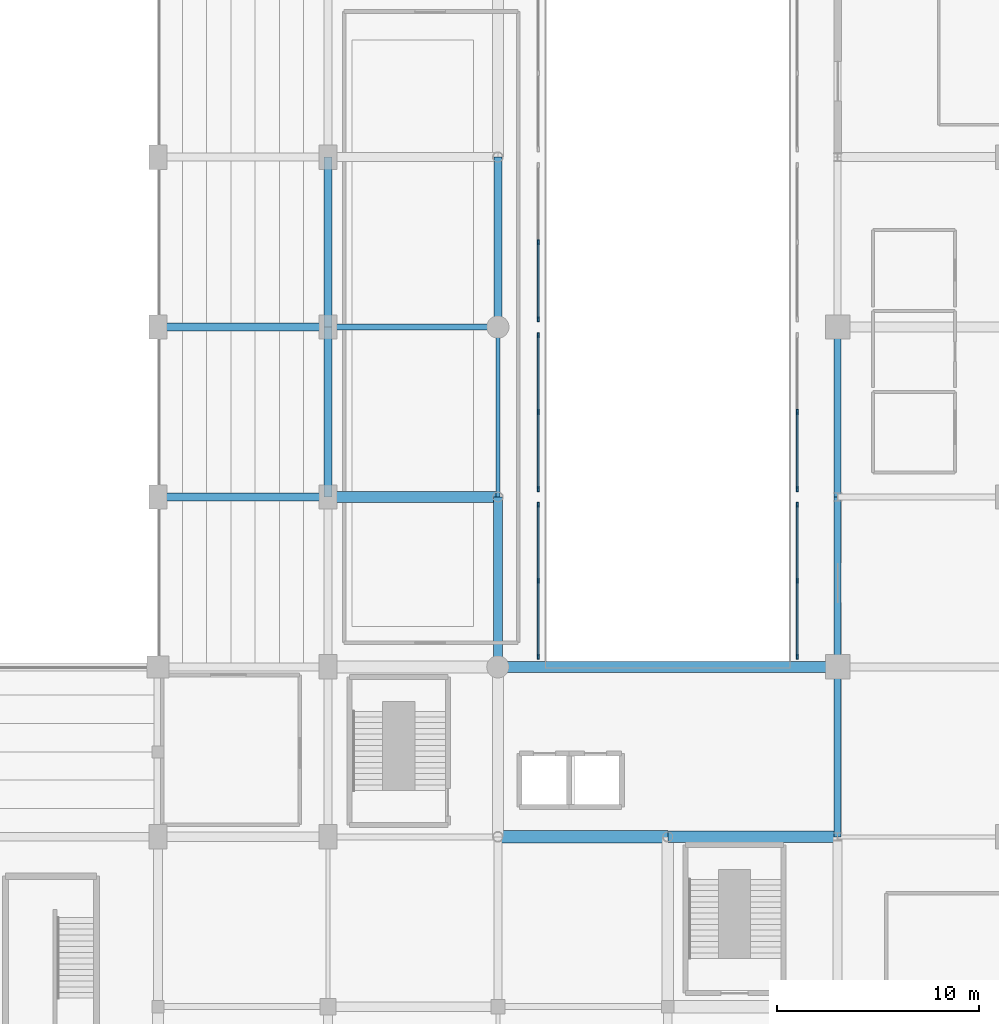
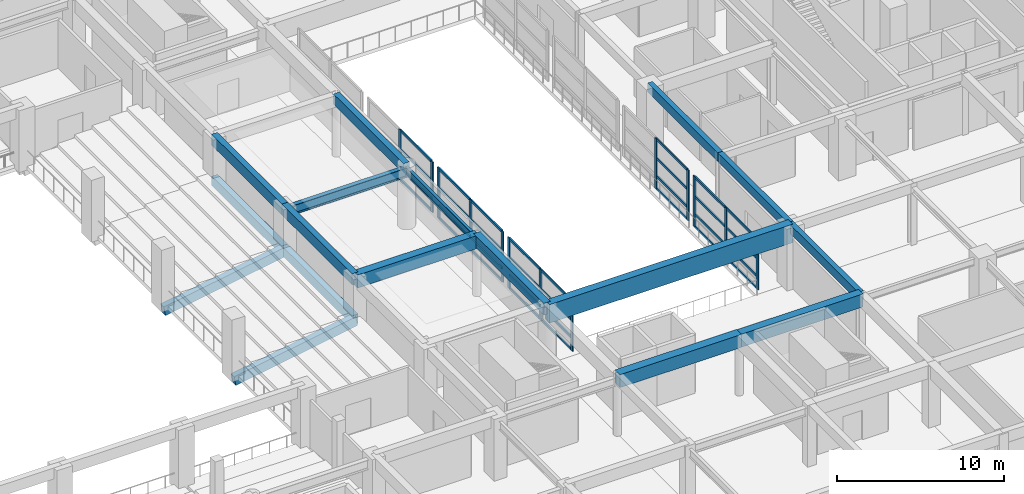
# One storey, part 17 of 60: 45 members, 17 beams, 5 elements without a shape of their own.
"""IFC4 building model written with IfcOpenShell, lengths in metres."""

from ifc_helpers import new_model, si_unit, direction, frame, origin, origin_2d, place, context, subcontext, project, spatial, rectangle, i_section, extrude, material, material_profile, profile_set, type_object, element, aggregate, save


model = new_model("IFC4")

# Units and contexts
model_context = context("Model", 3, precision=1e-05, world=origin(), true_north=direction((0.0, 1.0)))
body_context = subcontext(model_context, "Body", "Model", "MODEL_VIEW")
ifc_project = project(units=[si_unit("LENGTHUNIT", "METRE"), si_unit("AREAUNIT", "SQUARE_METRE"), si_unit("VOLUMEUNIT", "CUBIC_METRE"), si_unit("PLANEANGLEUNIT", "RADIAN"), si_unit("MASSUNIT", "GRAM", prefix="KILO")], contexts=[model_context])

# Site, building, storey
site_placement = place(None, origin())
site = spatial("IfcSite", under=ifc_project, at=site_placement, CompositionType="ELEMENT")
building_placement = place(site_placement, origin())
building = spatial("IfcBuilding", under=site, at=building_placement, Name="Xuanlan Plaza Opera House", CompositionType="ELEMENT")
storey_placement = place(building_placement, frame((0.0, 0.0, 9.89990234375)))
storey = spatial("IfcBuildingStorey", under=building, at=storey_placement, Name="L02", CompositionType="ELEMENT", Elevation=9.89990234375)

# Curtain wall, members
ifc_material_1 = material(Name="Anodised Aluminium 6063-T6 and Low-E Glass", Category="aluminium")
curtain_wall_type = type_object("IfcCurtainWallType", Name="ENV-CW-CW-06", PredefinedType="USERDEFINED", material=ifc_material_1)
curtain_wall_1_placement = place(storey_placement, origin())
curtain_wall_1 = element("IfcCurtainWall", 1, at=curtain_wall_1_placement, inside=storey, type_object=curtain_wall_type, Name="Acoustic Glazed Wall ATR-L02-11", ObjectType="ACOUSTIC GLAZED WALL", PredefinedType="USERDEFINED")
ifc_material_2 = material(Name="Anodised Aluminium 6063-T6", Category="aluminium")
ifc_material_profile_1 = material_profile(ifc_material_2, rectangle(XDim=0.090087890625, YDim=0.25, at=origin_2d()), Name="ALU-M 90x250")
ifc_profile_set_1 = profile_set([ifc_material_profile_1], Name="Anodised Aluminium 6063-T6")
member_type_1 = type_object("IfcMemberType", Name="ENV-CWM-05", PredefinedType="MULLION", material=ifc_profile_set_1)
member_1_placement = place(storey_placement, frame((111.199951171875, 42.4951171875, 0.0), z_axis=(0.0, 0.0, 1.0), x_axis=(-1.0, 0.0, 0.0)))
member_1 = element("IfcMember", 2, at=member_1_placement, type_object=member_type_1, Name="CW-06 mullion 1", PredefinedType="MULLION", context=body_context, shape_type="SweptSolid", body=[
    extrude(rectangle(XDim=0.090087890625, YDim=0.25, at=origin_2d()), origin(), (0.0, 0.0, 1.0), 3.68017578125),
])
member_2_placement = place(storey_placement, frame((111.199951171875, 46.25, 0.0), z_axis=(0.0, 0.0, 1.0), x_axis=(-1.0, 0.0, 0.0)))
member_2 = element("IfcMember", 3, at=member_2_placement, type_object=member_type_1, Name="CW-06 mullion 2", PredefinedType="MULLION", context=body_context, shape_type="SweptSolid", body=[
    extrude(rectangle(XDim=0.090087890625, YDim=0.25, at=origin_2d()), origin(), (0.0, 0.0, 1.0), 3.68017578125),
])
member_3_placement = place(storey_placement, frame((111.199951171875, 50.0048828125, 0.0), z_axis=(0.0, 0.0, 1.0), x_axis=(-1.0, 0.0, 0.0)))
member_3 = element("IfcMember", 4, at=member_3_placement, type_object=member_type_1, Name="CW-06 mullion 3", PredefinedType="MULLION", context=body_context, shape_type="SweptSolid", body=[
    extrude(rectangle(XDim=0.090087890625, YDim=0.25, at=origin_2d()), origin(), (0.0, 0.0, 1.0), 3.68017578125),
])

curtain_wall_2_placement = place(storey_placement, origin())
curtain_wall_2 = element("IfcCurtainWall", 5, at=curtain_wall_2_placement, inside=storey, type_object=curtain_wall_type, Name="Acoustic Glazed Wall ATR-L02-12", ObjectType="ACOUSTIC GLAZED WALL", PredefinedType="USERDEFINED")
member_4_placement = place(storey_placement, frame((111.199951171875, 50.794921875, 0.0), z_axis=(0.0, 0.0, 1.0), x_axis=(-1.0, 0.0, 0.0)))
member_4 = element("IfcMember", 6, at=member_4_placement, type_object=member_type_1, Name="CW-06 mullion 1", PredefinedType="MULLION", context=body_context, shape_type="SweptSolid", body=[
    extrude(rectangle(XDim=0.090087890625, YDim=0.25, at=origin_2d()), origin(), (0.0, 0.0, 1.0), 3.68017578125),
])
member_5_placement = place(storey_placement, frame((111.199951171875, 54.60009765625, 0.0), z_axis=(0.0, 0.0, 1.0), x_axis=(-1.0, 0.0, 0.0)))
member_5 = element("IfcMember", 7, at=member_5_placement, type_object=member_type_1, Name="CW-06 mullion 2", PredefinedType="MULLION", context=body_context, shape_type="SweptSolid", body=[
    extrude(rectangle(XDim=0.090087890625, YDim=0.25, at=origin_2d()), origin(), (0.0, 0.0, 1.0), 3.68017578125),
])
member_6_placement = place(storey_placement, frame((111.199951171875, 58.405029296875, 0.0), z_axis=(0.0, 0.0, 1.0), x_axis=(-1.0, 0.0, 0.0)))
member_6 = element("IfcMember", 8, at=member_6_placement, type_object=member_type_1, Name="CW-06 mullion 3", PredefinedType="MULLION", context=body_context, shape_type="SweptSolid", body=[
    extrude(rectangle(XDim=0.090087890625, YDim=0.25, at=origin_2d()), origin(), (0.0, 0.0, 1.0), 3.68017578125),
])

curtain_wall_3_placement = place(storey_placement, origin())
curtain_wall_3 = element("IfcCurtainWall", 9, at=curtain_wall_3_placement, inside=storey, type_object=curtain_wall_type, Name="Acoustic Glazed Wall ATR-L02-13", ObjectType="ACOUSTIC GLAZED WALL", PredefinedType="USERDEFINED")
member_7_placement = place(storey_placement, frame((111.199951171875, 59.195068359375, 0.0), z_axis=(0.0, 0.0, 1.0), x_axis=(-1.0, 0.0, 0.0)))
member_7 = element("IfcMember", 10, at=member_7_placement, type_object=member_type_1, Name="CW-06 mullion 1", PredefinedType="MULLION", context=body_context, shape_type="SweptSolid", body=[
    extrude(rectangle(XDim=0.090087890625, YDim=0.25, at=origin_2d()), origin(), (0.0, 0.0, 1.0), 3.68017578125),
])
member_8_placement = place(storey_placement, frame((111.199951171875, 63.0, 0.0), z_axis=(0.0, 0.0, 1.0), x_axis=(-1.0, 0.0, 0.0)))
member_8 = element("IfcMember", 11, at=member_8_placement, type_object=member_type_1, Name="CW-06 mullion 2", PredefinedType="MULLION", context=body_context, shape_type="SweptSolid", body=[
    extrude(rectangle(XDim=0.090087890625, YDim=0.25, at=origin_2d()), origin(), (0.0, 0.0, 1.0), 3.68017578125),
])

curtain_wall_4_placement = place(storey_placement, origin())
curtain_wall_4 = element("IfcCurtainWall", 12, at=curtain_wall_4_placement, inside=storey, type_object=curtain_wall_type, Name="Acoustic Glazed Wall ATR-L02-21", ObjectType="ACOUSTIC GLAZED WALL", PredefinedType="USERDEFINED")
member_9_placement = place(storey_placement, frame((124.0, 42.4951171875, 0.0), z_axis=(0.0, 0.0, 1.0), x_axis=(-1.0, 0.0, 0.0)))
member_9 = element("IfcMember", 13, at=member_9_placement, type_object=member_type_1, Name="CW-06 mullion 1", PredefinedType="MULLION", context=body_context, shape_type="SweptSolid", body=[
    extrude(rectangle(XDim=0.090087890625, YDim=0.25, at=origin_2d()), origin(), (0.0, 0.0, 1.0), 3.68017578125),
])
member_10_placement = place(storey_placement, frame((124.0, 46.25, 0.0), z_axis=(0.0, 0.0, 1.0), x_axis=(-1.0, 0.0, 0.0)))
member_10 = element("IfcMember", 14, at=member_10_placement, type_object=member_type_1, Name="CW-06 mullion 2", PredefinedType="MULLION", context=body_context, shape_type="SweptSolid", body=[
    extrude(rectangle(XDim=0.090087890625, YDim=0.25, at=origin_2d()), origin(), (0.0, 0.0, 1.0), 3.68017578125),
])
member_11_placement = place(storey_placement, frame((124.0, 50.0048828125, 0.0), z_axis=(0.0, 0.0, 1.0), x_axis=(-1.0, 0.0, 0.0)))
member_11 = element("IfcMember", 15, at=member_11_placement, type_object=member_type_1, Name="CW-06 mullion 3", PredefinedType="MULLION", context=body_context, shape_type="SweptSolid", body=[
    extrude(rectangle(XDim=0.090087890625, YDim=0.25, at=origin_2d()), origin(), (0.0, 0.0, 1.0), 3.68017578125),
])

curtain_wall_5_placement = place(storey_placement, origin())
curtain_wall_5 = element("IfcCurtainWall", 16, at=curtain_wall_5_placement, inside=storey, type_object=curtain_wall_type, Name="Acoustic Glazed Wall ATR-L02-22", ObjectType="ACOUSTIC GLAZED WALL", PredefinedType="USERDEFINED")
member_12_placement = place(storey_placement, frame((124.0, 50.794921875, 0.0), z_axis=(0.0, 0.0, 1.0), x_axis=(-1.0, 0.0, 0.0)))
member_12 = element("IfcMember", 17, at=member_12_placement, type_object=member_type_1, Name="CW-06 mullion 1", PredefinedType="MULLION", context=body_context, shape_type="SweptSolid", body=[
    extrude(rectangle(XDim=0.090087890625, YDim=0.25, at=origin_2d()), origin(), (0.0, 0.0, 1.0), 3.68017578125),
])
member_13_placement = place(storey_placement, frame((124.0, 54.60009765625, 0.0), z_axis=(0.0, 0.0, 1.0), x_axis=(-1.0, 0.0, 0.0)))
member_13 = element("IfcMember", 18, at=member_13_placement, type_object=member_type_1, Name="CW-06 mullion 2", PredefinedType="MULLION", context=body_context, shape_type="SweptSolid", body=[
    extrude(rectangle(XDim=0.090087890625, YDim=0.25, at=origin_2d()), origin(), (0.0, 0.0, 1.0), 3.68017578125),
])

# Member
ifc_material_profile_2 = material_profile(ifc_material_2, rectangle(XDim=0.090087890625, YDim=0.179931640625, at=origin_2d()), Name="ALU-T 90x180")
ifc_profile_set_2 = profile_set([ifc_material_profile_2], Name="Anodised Aluminium 6063-T6")
member_type_2 = type_object("IfcMemberType", Name="ENV-CWT-05", PredefinedType="USERDEFINED", material=ifc_profile_set_2)
member_14_placement = place(storey_placement, frame((111.199951171875, 42.5400390625, 0.045166015625), z_axis=(0.0, 1.0, 0.0), x_axis=(-1.0, 0.0, 0.0)))
member_14 = element("IfcMember", 19, at=member_14_placement, type_object=member_type_2, Name="CW-06 transom 1.1", ObjectType="TRANSOM", PredefinedType="USERDEFINED", context=body_context, shape_type="SweptSolid", body=[
    extrude(rectangle(XDim=0.090087890625, YDim=0.179931640625, at=origin_2d()), origin(), (0.0, 0.0, 1.0), 3.6650390625),
])

member_15_placement = place(storey_placement, frame((111.199951171875, 42.5400390625, 0.9501953125), z_axis=(0.0, 1.0, 0.0), x_axis=(-1.0, 0.0, 0.0)))
member_15 = element("IfcMember", 20, at=member_15_placement, type_object=member_type_2, Name="CW-06 transom 1.2", ObjectType="TRANSOM", PredefinedType="USERDEFINED", context=body_context, shape_type="SweptSolid", body=[
    extrude(rectangle(XDim=0.090087890625, YDim=0.179931640625, at=origin_2d()), origin(), (0.0, 0.0, 1.0), 3.6650390625),
])

member_16_placement = place(storey_placement, frame((111.199951171875, 42.5400390625, 2.25), z_axis=(0.0, 1.0, 0.0), x_axis=(-1.0, 0.0, 0.0)))
member_16 = element("IfcMember", 21, at=member_16_placement, type_object=member_type_2, Name="CW-06 transom 1.3", ObjectType="TRANSOM", PredefinedType="USERDEFINED", context=body_context, shape_type="SweptSolid", body=[
    extrude(rectangle(XDim=0.090087890625, YDim=0.179931640625, at=origin_2d()), origin(), (0.0, 0.0, 1.0), 3.6650390625),
])

member_17_placement = place(storey_placement, frame((111.199951171875, 42.5400390625, 3.635009765625), z_axis=(0.0, 1.0, 0.0), x_axis=(-1.0, 0.0, 0.0)))
member_17 = element("IfcMember", 22, at=member_17_placement, type_object=member_type_2, Name="CW-06 transom 1.4", ObjectType="TRANSOM", PredefinedType="USERDEFINED", context=body_context, shape_type="SweptSolid", body=[
    extrude(rectangle(XDim=0.090087890625, YDim=0.179931640625, at=origin_2d()), origin(), (0.0, 0.0, 1.0), 3.6650390625),
])

member_18_placement = place(storey_placement, frame((111.199951171875, 46.294921875, 0.045166015625), z_axis=(0.0, 1.0, 0.0), x_axis=(-1.0, 0.0, 0.0)))
member_18 = element("IfcMember", 23, at=member_18_placement, type_object=member_type_2, Name="CW-06 transom 2.1", ObjectType="TRANSOM", PredefinedType="USERDEFINED", context=body_context, shape_type="SweptSolid", body=[
    extrude(rectangle(XDim=0.090087890625, YDim=0.179931640625, at=origin_2d()), origin(), (0.0, 0.0, 1.0), 3.6650390625),
])

member_19_placement = place(storey_placement, frame((111.199951171875, 46.294921875, 0.9501953125), z_axis=(0.0, 1.0, 0.0), x_axis=(-1.0, 0.0, 0.0)))
member_19 = element("IfcMember", 24, at=member_19_placement, type_object=member_type_2, Name="CW-06 transom 2.2", ObjectType="TRANSOM", PredefinedType="USERDEFINED", context=body_context, shape_type="SweptSolid", body=[
    extrude(rectangle(XDim=0.090087890625, YDim=0.179931640625, at=origin_2d()), origin(), (0.0, 0.0, 1.0), 3.6650390625),
])

member_20_placement = place(storey_placement, frame((111.199951171875, 46.294921875, 2.25), z_axis=(0.0, 1.0, 0.0), x_axis=(-1.0, 0.0, 0.0)))
member_20 = element("IfcMember", 25, at=member_20_placement, type_object=member_type_2, Name="CW-06 transom 2.3", ObjectType="TRANSOM", PredefinedType="USERDEFINED", context=body_context, shape_type="SweptSolid", body=[
    extrude(rectangle(XDim=0.090087890625, YDim=0.179931640625, at=origin_2d()), origin(), (0.0, 0.0, 1.0), 3.6650390625),
])

member_21_placement = place(storey_placement, frame((111.199951171875, 46.294921875, 3.635009765625), z_axis=(0.0, 1.0, 0.0), x_axis=(-1.0, 0.0, 0.0)))
member_21 = element("IfcMember", 26, at=member_21_placement, type_object=member_type_2, Name="CW-06 transom 2.4", ObjectType="TRANSOM", PredefinedType="USERDEFINED", context=body_context, shape_type="SweptSolid", body=[
    extrude(rectangle(XDim=0.090087890625, YDim=0.179931640625, at=origin_2d()), origin(), (0.0, 0.0, 1.0), 3.6650390625),
])

aggregate(curtain_wall_1, [member_1, member_2, member_3, member_14, member_15, member_16, member_17, member_18, member_19, member_20, member_21])

member_22_placement = place(storey_placement, frame((111.199951171875, 50.840087890625, 0.045166015625), z_axis=(0.0, 1.0, 0.0), x_axis=(-1.0, 0.0, 0.0)))
member_22 = element("IfcMember", 27, at=member_22_placement, type_object=member_type_2, Name="CW-06 transom 1.1", ObjectType="TRANSOM", PredefinedType="USERDEFINED", context=body_context, shape_type="SweptSolid", body=[
    extrude(rectangle(XDim=0.090087890625, YDim=0.179931640625, at=origin_2d()), origin(), (0.0, 0.0, 1.0), 3.71484375),
])

member_23_placement = place(storey_placement, frame((111.199951171875, 50.840087890625, 0.9501953125), z_axis=(0.0, 1.0, 0.0), x_axis=(-1.0, 0.0, 0.0)))
member_23 = element("IfcMember", 28, at=member_23_placement, type_object=member_type_2, Name="CW-06 transom 1.2", ObjectType="TRANSOM", PredefinedType="USERDEFINED", context=body_context, shape_type="SweptSolid", body=[
    extrude(rectangle(XDim=0.090087890625, YDim=0.179931640625, at=origin_2d()), origin(), (0.0, 0.0, 1.0), 3.71484375),
])

member_24_placement = place(storey_placement, frame((111.199951171875, 50.840087890625, 2.25), z_axis=(0.0, 1.0, 0.0), x_axis=(-1.0, 0.0, 0.0)))
member_24 = element("IfcMember", 29, at=member_24_placement, type_object=member_type_2, Name="CW-06 transom 1.3", ObjectType="TRANSOM", PredefinedType="USERDEFINED", context=body_context, shape_type="SweptSolid", body=[
    extrude(rectangle(XDim=0.090087890625, YDim=0.179931640625, at=origin_2d()), origin(), (0.0, 0.0, 1.0), 3.71484375),
])

member_25_placement = place(storey_placement, frame((111.199951171875, 50.840087890625, 3.635009765625), z_axis=(0.0, 1.0, 0.0), x_axis=(-1.0, 0.0, 0.0)))
member_25 = element("IfcMember", 30, at=member_25_placement, type_object=member_type_2, Name="CW-06 transom 1.4", ObjectType="TRANSOM", PredefinedType="USERDEFINED", context=body_context, shape_type="SweptSolid", body=[
    extrude(rectangle(XDim=0.090087890625, YDim=0.179931640625, at=origin_2d()), origin(), (0.0, 0.0, 1.0), 3.71484375),
])

member_26_placement = place(storey_placement, frame((111.199951171875, 54.64501953125, 0.045166015625), z_axis=(0.0, 1.0, 0.0), x_axis=(-1.0, 0.0, 0.0)))
member_26 = element("IfcMember", 31, at=member_26_placement, type_object=member_type_2, Name="CW-06 transom 2.1", ObjectType="TRANSOM", PredefinedType="USERDEFINED", context=body_context, shape_type="SweptSolid", body=[
    extrude(rectangle(XDim=0.090087890625, YDim=0.179931640625, at=origin_2d()), origin(), (0.0, 0.0, 1.0), 3.715087890625),
])

member_27_placement = place(storey_placement, frame((111.199951171875, 54.64501953125, 0.9501953125), z_axis=(0.0, 1.0, 0.0), x_axis=(-1.0, 0.0, 0.0)))
member_27 = element("IfcMember", 32, at=member_27_placement, type_object=member_type_2, Name="CW-06 transom 2.2", ObjectType="TRANSOM", PredefinedType="USERDEFINED", context=body_context, shape_type="SweptSolid", body=[
    extrude(rectangle(XDim=0.090087890625, YDim=0.179931640625, at=origin_2d()), origin(), (0.0, 0.0, 1.0), 3.715087890625),
])

member_28_placement = place(storey_placement, frame((111.199951171875, 54.64501953125, 2.25), z_axis=(0.0, 1.0, 0.0), x_axis=(-1.0, 0.0, 0.0)))
member_28 = element("IfcMember", 33, at=member_28_placement, type_object=member_type_2, Name="CW-06 transom 2.3", ObjectType="TRANSOM", PredefinedType="USERDEFINED", context=body_context, shape_type="SweptSolid", body=[
    extrude(rectangle(XDim=0.090087890625, YDim=0.179931640625, at=origin_2d()), origin(), (0.0, 0.0, 1.0), 3.715087890625),
])

member_29_placement = place(storey_placement, frame((111.199951171875, 54.64501953125, 3.635009765625), z_axis=(0.0, 1.0, 0.0), x_axis=(-1.0, 0.0, 0.0)))
member_29 = element("IfcMember", 34, at=member_29_placement, type_object=member_type_2, Name="CW-06 transom 2.4", ObjectType="TRANSOM", PredefinedType="USERDEFINED", context=body_context, shape_type="SweptSolid", body=[
    extrude(rectangle(XDim=0.090087890625, YDim=0.179931640625, at=origin_2d()), origin(), (0.0, 0.0, 1.0), 3.715087890625),
])

aggregate(curtain_wall_2, [member_4, member_5, member_6, member_22, member_23, member_24, member_25, member_26, member_27, member_28, member_29])

member_30_placement = place(storey_placement, frame((111.199951171875, 59.239990234375, 0.045166015625), z_axis=(0.0, 1.0, 0.0), x_axis=(-1.0, 0.0, 0.0)))
member_30 = element("IfcMember", 35, at=member_30_placement, type_object=member_type_2, Name="CW-06 transom 1.1", ObjectType="TRANSOM", PredefinedType="USERDEFINED", context=body_context, shape_type="SweptSolid", body=[
    extrude(rectangle(XDim=0.090087890625, YDim=0.179931640625, at=origin_2d()), origin(), (0.0, 0.0, 1.0), 3.715087890625),
])

member_31_placement = place(storey_placement, frame((111.199951171875, 59.239990234375, 0.9501953125), z_axis=(0.0, 1.0, 0.0), x_axis=(-1.0, 0.0, 0.0)))
member_31 = element("IfcMember", 36, at=member_31_placement, type_object=member_type_2, Name="CW-06 transom 1.2", ObjectType="TRANSOM", PredefinedType="USERDEFINED", context=body_context, shape_type="SweptSolid", body=[
    extrude(rectangle(XDim=0.090087890625, YDim=0.179931640625, at=origin_2d()), origin(), (0.0, 0.0, 1.0), 3.715087890625),
])

member_32_placement = place(storey_placement, frame((111.199951171875, 59.239990234375, 2.25), z_axis=(0.0, 1.0, 0.0), x_axis=(-1.0, 0.0, 0.0)))
member_32 = element("IfcMember", 37, at=member_32_placement, type_object=member_type_2, Name="CW-06 transom 1.3", ObjectType="TRANSOM", PredefinedType="USERDEFINED", context=body_context, shape_type="SweptSolid", body=[
    extrude(rectangle(XDim=0.090087890625, YDim=0.179931640625, at=origin_2d()), origin(), (0.0, 0.0, 1.0), 3.715087890625),
])

member_33_placement = place(storey_placement, frame((111.199951171875, 59.239990234375, 3.635009765625), z_axis=(0.0, 1.0, 0.0), x_axis=(-1.0, 0.0, 0.0)))
member_33 = element("IfcMember", 38, at=member_33_placement, type_object=member_type_2, Name="CW-06 transom 1.4", ObjectType="TRANSOM", PredefinedType="USERDEFINED", context=body_context, shape_type="SweptSolid", body=[
    extrude(rectangle(XDim=0.090087890625, YDim=0.179931640625, at=origin_2d()), origin(), (0.0, 0.0, 1.0), 3.715087890625),
])

aggregate(curtain_wall_3, [member_7, member_8, member_30, member_31, member_32, member_33])

member_34_placement = place(storey_placement, frame((124.0, 42.5400390625, 0.045166015625), z_axis=(0.0, 1.0, 0.0), x_axis=(-1.0, 0.0, 0.0)))
member_34 = element("IfcMember", 39, at=member_34_placement, type_object=member_type_2, Name="CW-06 transom 1.1", ObjectType="TRANSOM", PredefinedType="USERDEFINED", context=body_context, shape_type="SweptSolid", body=[
    extrude(rectangle(XDim=0.090087890625, YDim=0.179931640625, at=origin_2d()), origin(), (0.0, 0.0, 1.0), 3.6650390625),
])

member_35_placement = place(storey_placement, frame((124.0, 42.5400390625, 0.9501953125), z_axis=(0.0, 1.0, 0.0), x_axis=(-1.0, 0.0, 0.0)))
member_35 = element("IfcMember", 40, at=member_35_placement, type_object=member_type_2, Name="CW-06 transom 1.2", ObjectType="TRANSOM", PredefinedType="USERDEFINED", context=body_context, shape_type="SweptSolid", body=[
    extrude(rectangle(XDim=0.090087890625, YDim=0.179931640625, at=origin_2d()), origin(), (0.0, 0.0, 1.0), 3.6650390625),
])

member_36_placement = place(storey_placement, frame((124.0, 42.5400390625, 2.25), z_axis=(0.0, 1.0, 0.0), x_axis=(-1.0, 0.0, 0.0)))
member_36 = element("IfcMember", 41, at=member_36_placement, type_object=member_type_2, Name="CW-06 transom 1.3", ObjectType="TRANSOM", PredefinedType="USERDEFINED", context=body_context, shape_type="SweptSolid", body=[
    extrude(rectangle(XDim=0.090087890625, YDim=0.179931640625, at=origin_2d()), origin(), (0.0, 0.0, 1.0), 3.6650390625),
])

member_37_placement = place(storey_placement, frame((124.0, 42.5400390625, 3.635009765625), z_axis=(0.0, 1.0, 0.0), x_axis=(-1.0, 0.0, 0.0)))
member_37 = element("IfcMember", 42, at=member_37_placement, type_object=member_type_2, Name="CW-06 transom 1.4", ObjectType="TRANSOM", PredefinedType="USERDEFINED", context=body_context, shape_type="SweptSolid", body=[
    extrude(rectangle(XDim=0.090087890625, YDim=0.179931640625, at=origin_2d()), origin(), (0.0, 0.0, 1.0), 3.6650390625),
])

member_38_placement = place(storey_placement, frame((124.0, 46.294921875, 0.045166015625), z_axis=(0.0, 1.0, 0.0), x_axis=(-1.0, 0.0, 0.0)))
member_38 = element("IfcMember", 43, at=member_38_placement, type_object=member_type_2, Name="CW-06 transom 2.1", ObjectType="TRANSOM", PredefinedType="USERDEFINED", context=body_context, shape_type="SweptSolid", body=[
    extrude(rectangle(XDim=0.090087890625, YDim=0.179931640625, at=origin_2d()), origin(), (0.0, 0.0, 1.0), 3.6650390625),
])

member_39_placement = place(storey_placement, frame((124.0, 46.294921875, 0.9501953125), z_axis=(0.0, 1.0, 0.0), x_axis=(-1.0, 0.0, 0.0)))
member_39 = element("IfcMember", 44, at=member_39_placement, type_object=member_type_2, Name="CW-06 transom 2.2", ObjectType="TRANSOM", PredefinedType="USERDEFINED", context=body_context, shape_type="SweptSolid", body=[
    extrude(rectangle(XDim=0.090087890625, YDim=0.179931640625, at=origin_2d()), origin(), (0.0, 0.0, 1.0), 3.6650390625),
])

member_40_placement = place(storey_placement, frame((124.0, 46.294921875, 2.25), z_axis=(0.0, 1.0, 0.0), x_axis=(-1.0, 0.0, 0.0)))
member_40 = element("IfcMember", 45, at=member_40_placement, type_object=member_type_2, Name="CW-06 transom 2.3", ObjectType="TRANSOM", PredefinedType="USERDEFINED", context=body_context, shape_type="SweptSolid", body=[
    extrude(rectangle(XDim=0.090087890625, YDim=0.179931640625, at=origin_2d()), origin(), (0.0, 0.0, 1.0), 3.6650390625),
])

member_41_placement = place(storey_placement, frame((124.0, 46.294921875, 3.635009765625), z_axis=(0.0, 1.0, 0.0), x_axis=(-1.0, 0.0, 0.0)))
member_41 = element("IfcMember", 46, at=member_41_placement, type_object=member_type_2, Name="CW-06 transom 2.4", ObjectType="TRANSOM", PredefinedType="USERDEFINED", context=body_context, shape_type="SweptSolid", body=[
    extrude(rectangle(XDim=0.090087890625, YDim=0.179931640625, at=origin_2d()), origin(), (0.0, 0.0, 1.0), 3.6650390625),
])

aggregate(curtain_wall_4, [member_9, member_10, member_11, member_34, member_35, member_36, member_37, member_38, member_39, member_40, member_41])

member_42_placement = place(storey_placement, frame((124.0, 50.840087890625, 0.045166015625), z_axis=(0.0, 1.0, 0.0), x_axis=(-1.0, 0.0, 0.0)))
member_42 = element("IfcMember", 47, at=member_42_placement, type_object=member_type_2, Name="CW-06 transom 1.1", ObjectType="TRANSOM", PredefinedType="USERDEFINED", context=body_context, shape_type="SweptSolid", body=[
    extrude(rectangle(XDim=0.090087890625, YDim=0.179931640625, at=origin_2d()), origin(), (0.0, 0.0, 1.0), 3.71484375),
])

member_43_placement = place(storey_placement, frame((124.0, 50.840087890625, 0.9501953125), z_axis=(0.0, 1.0, 0.0), x_axis=(-1.0, 0.0, 0.0)))
member_43 = element("IfcMember", 48, at=member_43_placement, type_object=member_type_2, Name="CW-06 transom 1.2", ObjectType="TRANSOM", PredefinedType="USERDEFINED", context=body_context, shape_type="SweptSolid", body=[
    extrude(rectangle(XDim=0.090087890625, YDim=0.179931640625, at=origin_2d()), origin(), (0.0, 0.0, 1.0), 3.71484375),
])

member_44_placement = place(storey_placement, frame((124.0, 50.840087890625, 2.25), z_axis=(0.0, 1.0, 0.0), x_axis=(-1.0, 0.0, 0.0)))
member_44 = element("IfcMember", 49, at=member_44_placement, type_object=member_type_2, Name="CW-06 transom 1.3", ObjectType="TRANSOM", PredefinedType="USERDEFINED", context=body_context, shape_type="SweptSolid", body=[
    extrude(rectangle(XDim=0.090087890625, YDim=0.179931640625, at=origin_2d()), origin(), (0.0, 0.0, 1.0), 3.71484375),
])

member_45_placement = place(storey_placement, frame((124.0, 50.840087890625, 3.635009765625), z_axis=(0.0, 1.0, 0.0), x_axis=(-1.0, 0.0, 0.0)))
member_45 = element("IfcMember", 50, at=member_45_placement, type_object=member_type_2, Name="CW-06 transom 1.4", ObjectType="TRANSOM", PredefinedType="USERDEFINED", context=body_context, shape_type="SweptSolid", body=[
    extrude(rectangle(XDim=0.090087890625, YDim=0.179931640625, at=origin_2d()), origin(), (0.0, 0.0, 1.0), 3.71484375),
])

aggregate(curtain_wall_5, [member_12, member_13, member_42, member_43, member_44, member_45])

# Beams
ifc_material_3 = material(Name="Concrete C50", Category="concrete")
ifc_material_profile_3 = material_profile(ifc_material_3, rectangle(XDim=0.60009765625, YDim=0.949951171875, at=origin_2d()), Name="RC-BM 600x950")
ifc_profile_set_3 = profile_set([ifc_material_profile_3], Name="Concrete C50")
beam_type_1 = type_object("IfcBeamType", Name="STR-BM-B-01", PredefinedType="BEAM", material=ifc_profile_set_3)
beam_1_placement = place(storey_placement, frame((109.199951171875, 33.60009765625, 4.025146484375), z_axis=(1.0, 0.0, 0.0), x_axis=(0.0, 1.0, 0.0)))
element("IfcBeam", 51, at=beam_1_placement, inside=storey, type_object=beam_type_1, Name="Grid Beam X L02 14-15/E", PredefinedType="BEAM", context=body_context, shape_type="SweptSolid", body=[
    extrude(rectangle(XDim=0.60009765625, YDim=0.949951171875, at=origin_2d()), origin(), (0.0, 0.0, 1.0), 8.400146484375),
])
ifc_material_profile_4 = material_profile(ifc_material_3, rectangle(XDim=0.550048828125, YDim=0.949951171875, at=origin_2d()), Name="RC-BM 550x950")
ifc_profile_set_4 = profile_set([ifc_material_profile_4], Name="Concrete C50")
beam_type_2 = type_object("IfcBeamType", Name="STR-BM-B-02", PredefinedType="BEAM", material=ifc_profile_set_4)
for number, where, z_axis, x_axis, name in (
    (52, (117.60009765625, 33.60009765625, 4.025146484375), (1.0, 0.0, 0.0), (0.0, 1.0, 0.0), "Grid Beam X L02 15-16/E"),
    (53, (100.800048828125, 50.39990234375, 4.025146484375), (1.0, 0.0, 0.0), (0.0, 1.0, 0.0), "Grid Beam X L02 13-14/G"),
):
    element("IfcBeam", number, at=place(storey_placement, frame(where, z_axis=z_axis, x_axis=x_axis)), inside=storey, type_object=beam_type_2, Name=name, PredefinedType="BEAM", context=body_context, shape_type="SweptSolid", body=[
        extrude(rectangle(XDim=0.550048828125, YDim=0.949951171875, at=origin_2d()), origin(), (0.0, 0.0, 1.0), 8.39990234375),
    ])
ifc_material_4 = material(Name="Concrete C40", Category="concrete")
ifc_material_profile_5 = material_profile(ifc_material_4, rectangle(XDim=0.449951171875, YDim=0.85009765625, at=origin_2d()), Name="RC-BM 450x850")
ifc_profile_set_5 = profile_set([ifc_material_profile_5], Name="Concrete C40")
beam_type_3 = type_object("IfcBeamType", Name="STR-BM-B-04", PredefinedType="BEAM", material=ifc_profile_set_5)
beam_2_placement = place(storey_placement, frame((109.199951171875, 42.0, 4.0751953125), z_axis=(0.0, 1.0, 0.0), x_axis=(-1.0, 0.0, 0.0)))
element("IfcBeam", 54, at=beam_2_placement, inside=storey, type_object=beam_type_3, Name="Grid Beam Y L02 14/F-G", PredefinedType="BEAM", context=body_context, shape_type="SweptSolid", body=[
    extrude(rectangle(XDim=0.449951171875, YDim=0.85009765625, at=origin_2d()), origin(), (0.0, 0.0, 1.0), 8.39990234375),
])
ifc_material_profile_6 = material_profile(ifc_material_4, rectangle(XDim=0.39990234375, YDim=0.75, at=origin_2d()), Name="RC-BM 400x750")
ifc_profile_set_6 = profile_set([ifc_material_profile_6], Name="Concrete C40")
beam_type_4 = type_object("IfcBeamType", Name="STR-BM-B-06", PredefinedType="BEAM", material=ifc_profile_set_6)
beam_3_placement = place(storey_placement, frame((109.199951171875, 58.800048828125, 4.125), z_axis=(0.0, 1.0, 0.0), x_axis=(-1.0, 0.0, 0.0)))
element("IfcBeam", 55, at=beam_3_placement, inside=storey, type_object=beam_type_4, Name="Grid Beam Y L02 14/H-I", PredefinedType="BEAM", context=body_context, shape_type="SweptSolid", body=[
    extrude(rectangle(XDim=0.39990234375, YDim=0.75, at=origin_2d()), origin(), (0.0, 0.0, 1.0), 8.39990234375),
])
ifc_material_profile_7 = material_profile(ifc_material_4, rectangle(XDim=0.35009765625, YDim=0.64990234375, at=origin_2d()), Name="RC-BM 350x650")
ifc_profile_set_7 = profile_set([ifc_material_profile_7], Name="Concrete C40")
beam_type_5 = type_object("IfcBeamType", Name="STR-BM-B-08", PredefinedType="BEAM", material=ifc_profile_set_7)
for number, where, z_axis, x_axis, name in (
    (56, (126.0, 33.60009765625, 4.175048828125), (0.0, 1.0, 0.0), (-1.0, 0.0, 0.0), "Grid Beam Y L02 16/E-F"),
    (57, (126.0, 42.0, 4.175048828125), (0.0, 1.0, 0.0), (-1.0, 0.0, 0.0), "Grid Beam Y L02 16/F-G"),
):
    element("IfcBeam", number, at=place(storey_placement, frame(where, z_axis=z_axis, x_axis=x_axis)), inside=storey, type_object=beam_type_5, Name=name, PredefinedType="BEAM", context=body_context, shape_type="SweptSolid", body=[
        extrude(rectangle(XDim=0.35009765625, YDim=0.64990234375, at=origin_2d()), origin(), (0.0, 0.0, 1.0), 8.39990234375),
    ])
beam_4_placement = place(storey_placement, frame((126.0, 50.39990234375, 4.175048828125), z_axis=(0.0, 1.0, 0.0), x_axis=(-1.0, 0.0, 0.0)))
element("IfcBeam", 58, at=beam_4_placement, inside=storey, type_object=beam_type_5, Name="Grid Beam Y L02 16/G-H", PredefinedType="BEAM", context=body_context, shape_type="SweptSolid", body=[
    extrude(rectangle(XDim=0.35009765625, YDim=0.64990234375, at=origin_2d()), origin(), (0.0, 0.0, 1.0), 8.400146484375),
])
ifc_material_profile_8 = material_profile(ifc_material_3, rectangle(XDim=0.550048828125, YDim=1.35009765625, at=origin_2d()), Name="RC-SPD 550x1350")
ifc_profile_set_8 = profile_set([ifc_material_profile_8], Name="Concrete C50")
beam_type_6 = type_object("IfcBeamType", Name="STR-BM-LG-SP1", PredefinedType="SPANDREL", material=ifc_profile_set_8)
beam_5_placement = place(storey_placement, frame((109.199951171875, 42.0, 3.8251953125), z_axis=(1.0, 0.0, 0.0), x_axis=(0.0, 1.0, 0.0)))
element("IfcBeam", 59, at=beam_5_placement, inside=storey, type_object=beam_type_6, Name="Grid Beam X L02 14-16/F", PredefinedType="SPANDREL", context=body_context, shape_type="SweptSolid", body=[
    extrude(rectangle(XDim=0.550048828125, YDim=1.35009765625, at=origin_2d()), origin(), (0.0, 0.0, 1.0), 16.800048828125),
])
ifc_material_profile_9 = material_profile(ifc_material_4, rectangle(XDim=0.39990234375, YDim=0.679931640625, at=origin_2d()), Name="RC-RKR 400x680")
ifc_profile_set_9 = profile_set([ifc_material_profile_9], Name="Concrete C40")
beam_type_7 = type_object("IfcBeamType", Name="STR-BM-RK-02", PredefinedType="BEAM", material=ifc_profile_set_9)
for number, where, z_axis, x_axis, name in (
    (60, (92.39990234375, 50.39990234375, -0.33984375), (0.985623890385, 0.0, 0.168954273999), (0.0, 1.0, 0.0), "Auditorium Tier Raker Beam L02 Y50"),
    (61, (92.39990234375, 58.800048828125, -0.33984375), (0.985623890385, 0.0, 0.168954273999), (0.0, 1.0, 0.0), "Auditorium Tier Raker Beam L02 Y58"),
):
    element("IfcBeam", number, at=place(storey_placement, frame(where, z_axis=z_axis, x_axis=x_axis)), inside=storey, type_object=beam_type_7, Name=name, PredefinedType="BEAM", context=body_context, shape_type="SweptSolid", body=[
        extrude(rectangle(XDim=0.39990234375, YDim=0.679931640625, at=origin_2d()), origin(), (0.0, 0.0, 1.0), 8.522705078125),
    ])
ifc_material_profile_10 = material_profile(ifc_material_4, rectangle(XDim=0.39990234375, YDim=0.679931640625, at=origin_2d()), Name="RC-RKR 400x680")
ifc_profile_set_10 = profile_set([ifc_material_profile_10], Name="Concrete C40")
beam_type_8 = type_object("IfcBeamType", Name="STR-BM-RKH-02", PredefinedType="BEAM", material=ifc_profile_set_10)
beam_6_placement = place(storey_placement, frame((100.800048828125, 50.39990234375, 1.10009765625), z_axis=(0.0, 1.0, 0.0), x_axis=(-1.0, 0.0, 0.0)))
element("IfcBeam", 62, at=beam_6_placement, inside=storey, type_object=beam_type_8, Name="Auditorium Tier Header Beam L02-2", PredefinedType="BEAM", context=body_context, shape_type="SweptSolid", body=[
    extrude(rectangle(XDim=0.39990234375, YDim=0.679931640625, at=origin_2d()), origin(), (0.0, 0.0, 1.0), 8.400146484375),
])
beam_7_placement = place(storey_placement, frame((100.800048828125, 58.800048828125, 1.10009765625), z_axis=(0.0, 1.0, 0.0), x_axis=(-1.0, 0.0, 0.0)))
element("IfcBeam", 63, at=beam_7_placement, inside=storey, type_object=beam_type_8, Name="Auditorium Tier Header Beam L02-3", PredefinedType="BEAM", context=body_context, shape_type="SweptSolid", body=[
    extrude(rectangle(XDim=0.39990234375, YDim=0.679931640625, at=origin_2d()), origin(), (0.0, 0.0, 1.0), 8.39990234375),
])
ifc_material_5 = material(Name="Steel Q355B", Category="steel")
ifc_material_profile_11 = material_profile(ifc_material_5, i_section(OverallWidth=0.300048828125, OverallDepth=0.699951171875, WebThickness=0.012939453125, FlangeThickness=0.02392578125, FilletRadius=0.02392578125, at=origin_2d()), Name="HN 700x300x13x24")
ifc_profile_set_11 = profile_set([ifc_material_profile_11], Name="Steel Q355B")
beam_type_9 = type_object("IfcBeamType", Name="STR-BM-SB-03", PredefinedType="BEAM", material=ifc_profile_set_11)
beam_8_placement = place(storey_placement, frame((100.800048828125, 58.800048828125, 3.885009765625), z_axis=(1.0, 0.0, 0.0), x_axis=(0.0, 1.0, 0.0)))
element("IfcBeam", 64, at=beam_8_placement, inside=storey, type_object=beam_type_9, Name="Grid Beam X L02 13-14/H", PredefinedType="BEAM", context=body_context, shape_type="SweptSolid", body=[
    extrude(i_section(OverallWidth=0.300048828125, OverallDepth=0.699951171875, WebThickness=0.012939453125, FlangeThickness=0.02392578125, FilletRadius=0.02392578125, at=origin_2d()), origin(), (0.0, 0.0, 1.0), 8.39990234375),
])
ifc_material_profile_12 = material_profile(ifc_material_5, i_section(OverallWidth=0.199951171875, OverallDepth=0.60009765625, WebThickness=0.010986328125, FlangeThickness=0.01708984375, FilletRadius=0.02197265625, at=origin_2d()), Name="HN 600x200x11x17")
ifc_profile_set_12 = profile_set([ifc_material_profile_12], Name="Steel Q355B")
beam_type_10 = type_object("IfcBeamType", Name="STR-BM-SB-04", PredefinedType="BEAM", material=ifc_profile_set_12)
beam_9_placement = place(storey_placement, frame((109.199951171875, 50.39990234375, 3.93505859375), z_axis=(0.0, 1.0, 0.0), x_axis=(-1.0, 0.0, 0.0)))
element("IfcBeam", 65, at=beam_9_placement, inside=storey, type_object=beam_type_10, Name="Grid Beam Y L02 14/G-H", PredefinedType="BEAM", context=body_context, shape_type="SweptSolid", body=[
    extrude(i_section(OverallWidth=0.199951171875, OverallDepth=0.60009765625, WebThickness=0.010986328125, FlangeThickness=0.01708984375, FilletRadius=0.02197265625, at=origin_2d()), origin(), (0.0, 0.0, 1.0), 8.400146484375),
])
ifc_material_profile_13 = material_profile(ifc_material_4, rectangle(XDim=0.39990234375, YDim=0.800048828125, at=origin_2d()), Name="RC-SPD 400x800")
ifc_profile_set_13 = profile_set([ifc_material_profile_13], Name="Concrete C40")
beam_type_11 = type_object("IfcBeamType", Name="STR-BM-SP-01", PredefinedType="SPANDREL", material=ifc_profile_set_13)
beam_10_placement = place(storey_placement, frame((100.800048828125, 50.39990234375, 4.10009765625), z_axis=(0.0, 1.0, 0.0), x_axis=(-1.0, 0.0, 0.0)))
element("IfcBeam", 66, at=beam_10_placement, inside=storey, type_object=beam_type_11, Name="Grid Beam Y L02 13/G-H", PredefinedType="SPANDREL", context=body_context, shape_type="SweptSolid", body=[
    extrude(rectangle(XDim=0.39990234375, YDim=0.800048828125, at=origin_2d()), origin(), (0.0, 0.0, 1.0), 8.400146484375),
])
beam_11_placement = place(storey_placement, frame((100.800048828125, 58.800048828125, 4.10009765625), z_axis=(0.0, 1.0, 0.0), x_axis=(-1.0, 0.0, 0.0)))
element("IfcBeam", 67, at=beam_11_placement, inside=storey, type_object=beam_type_11, Name="Grid Beam Y L02 13/H-I", PredefinedType="SPANDREL", context=body_context, shape_type="SweptSolid", body=[
    extrude(rectangle(XDim=0.39990234375, YDim=0.800048828125, at=origin_2d()), origin(), (0.0, 0.0, 1.0), 8.39990234375),
])

save(model, "model.ifc")
